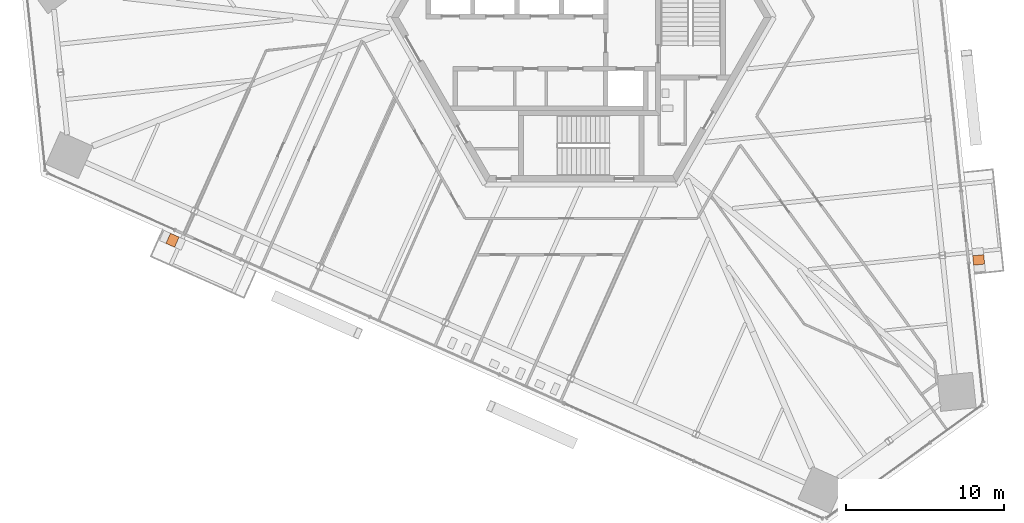
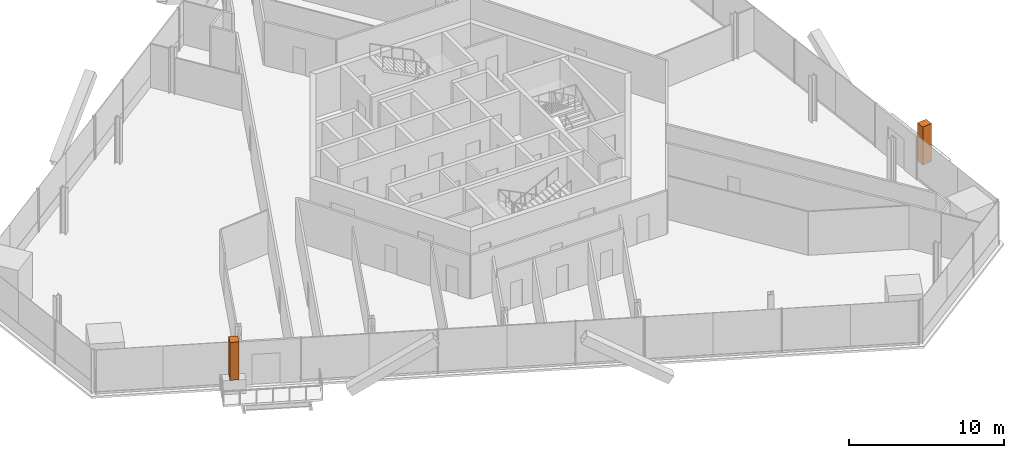
# One storey, part 19 of 19: 2 geographic elements.
"""IFC4 building model written with IfcOpenShell, lengths in metres."""

from ifc_helpers import new_model, si_unit, direction, frame, origin, origin_2d, place, context, subcontext, project, spatial, rectangle, extrude, source, transform, mapped, material, type_object, element, save


model = new_model("IFC4")

# Units and contexts
model_context = context("Model", 3, precision=1e-05, world=origin(), true_north=direction((0.0, 1.0)))
body_context = subcontext(model_context, "Body", "Model", "MODEL_VIEW")
ifc_project = project(units=[si_unit("LENGTHUNIT", "METRE"), si_unit("AREAUNIT", "SQUARE_METRE"), si_unit("VOLUMEUNIT", "CUBIC_METRE"), si_unit("PLANEANGLEUNIT", "RADIAN"), si_unit("MASSUNIT", "GRAM", prefix="KILO")], contexts=[model_context])

# Site, building, storey
site_placement = place(None, origin())
site = spatial("IfcSite", under=ifc_project, at=site_placement, CompositionType="ELEMENT")
building_placement = place(site_placement, origin())
building = spatial("IfcBuilding", under=site, at=building_placement, Name="Triune Harvest Tower", CompositionType="ELEMENT")
storey_placement = place(building_placement, frame((0.0, 0.0, 69.300048828125)))
storey = spatial("IfcBuildingStorey", under=building, at=storey_placement, Name="L16", CompositionType="ELEMENT", Elevation=69.300048828125)

# Geographic elements
ifc_material = material(Name="TREE-1 tree")
geographic_element_type = type_object("IfcGeographicElementType", Name="TREE-1 tree", PredefinedType="USERDEFINED", material=ifc_material)
shared_shape = source(origin(), body_context, "Body", "SweptSolid", [
    extrude(rectangle(XDim=0.60009765625, YDim=0.699951171875, at=origin_2d()), origin(), (0.0, 0.0, 1.0), 3.0),
])
for number, where, z_axis, x_axis, name in (
    (1, (25.085693359375, -15.311279296875, 1.099853515625), (0.0, 0.0, 1.0), (-0.104527536558, 0.994521992769, 0.0), "Tree B2-F1 L16.3a"),
    (2, (-25.802734375, -14.069091796875, 1.099853515625), (0.0, 0.0, 1.0), (0.913545207137, -0.406737205721, 0.0), "Tree B2-F5 L16.3a"),
):
    element("IfcGeographicElement", number, at=place(storey_placement, frame(where, z_axis=z_axis, x_axis=x_axis)), inside=storey, type_object=geographic_element_type, Name=name, ObjectType="TREE", PredefinedType="USERDEFINED", context=body_context, shape_type="MappedRepresentation", body=[
        mapped(shared_shape, transform((0.0, 0.0, 0.0), scale=1.0)),
    ])

save(model, "model.ifc")
